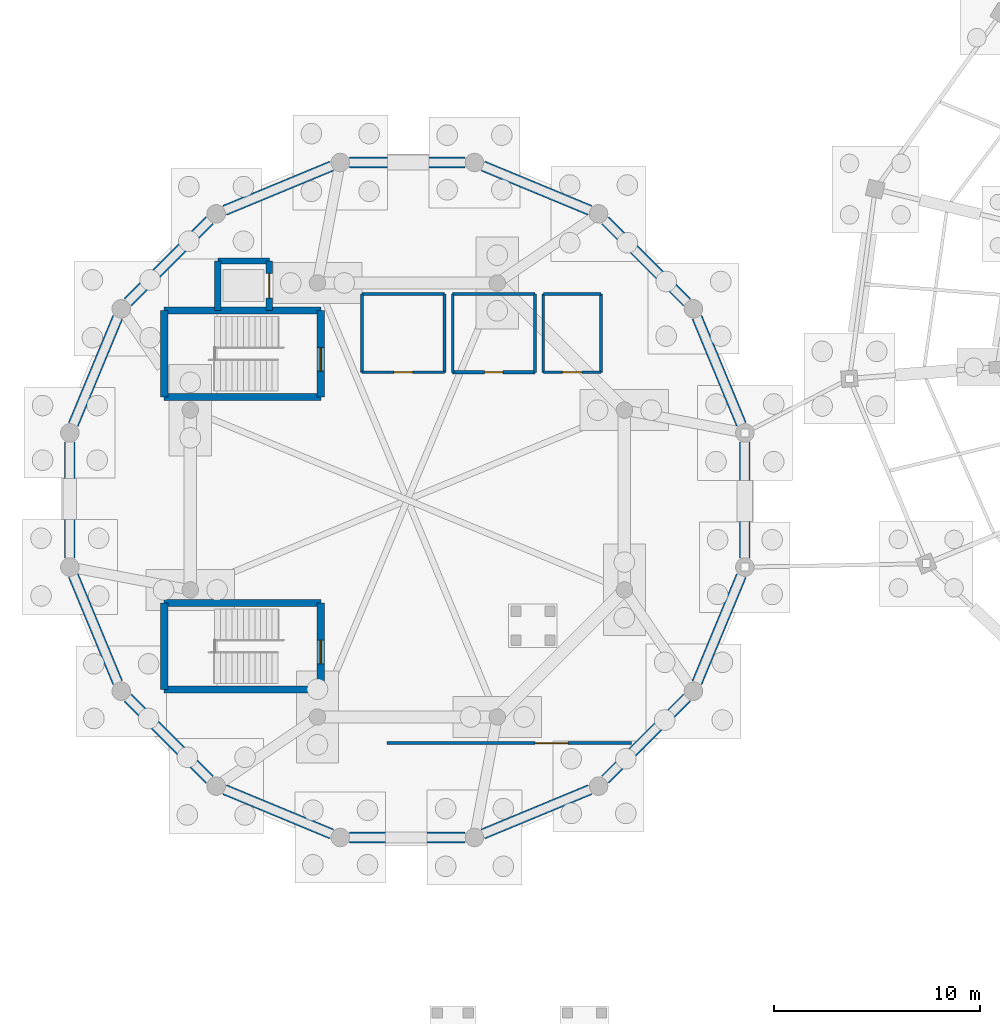
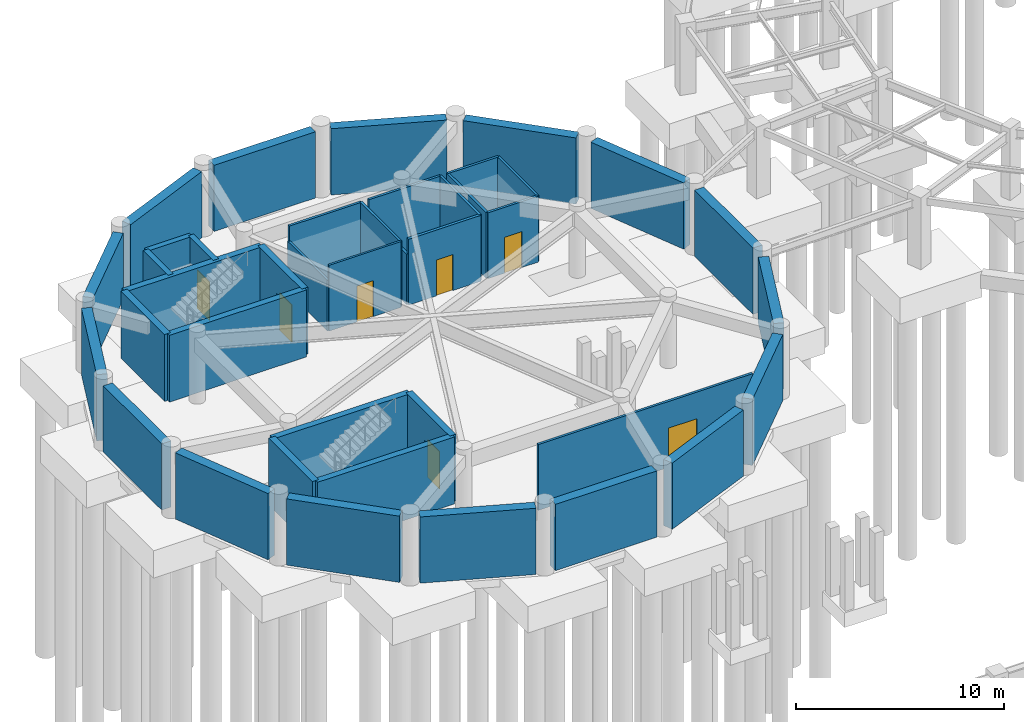
# One storey, part 27 of 38: 40 walls, 7 doors, 7 openings.
"""IFC4 building model written with IfcOpenShell, lengths in metres."""

import ifcopenshell
import ifcopenshell.guid

model = None  # the IFC model being written
_history = None  # IfcOwnerHistory: only IFC2X3 demands one
_inside = {}  # id of a spatial element -> (the spatial element, [elements in it])
_under = {}  # id of a project, library or spatial element -> (it, [spatial elements below it])
_declared = {}  # id of a project -> (the project, [libraries it declares])
_typed = {}  # id of a type object -> (the type object, [elements of that type])
_made_of = {}  # id of a material, layer set ... -> (it, [elements and type objects made of it])


def new_model(schema):
    """Start an empty IFC model of exactly this schema.

    Asked for "IFC4X3", IfcOpenShell would pick the latest addendum, in which some entities
    have other attributes; the version numbers below select the first issue.
    IFC2X3 requires an IfcOwnerHistory on every rooted entity: one is made here for all.
    """
    global model, _history
    if schema == "IFC4X3":
        model = ifcopenshell.file(schema_version=(4, 3, 0, 0))
    else:
        model = ifcopenshell.file(schema=schema)
    _inside.clear()
    _under.clear()
    _declared.clear()
    _typed.clear()
    _made_of.clear()
    _history = None
    if model.schema == "IFC2X3":
        org = make("IfcOrganization", Name="unknown")
        user = make(
            "IfcPersonAndOrganization",
            ThePerson=make("IfcPerson", FamilyName="unknown"),
            TheOrganization=org,
        )
        app = make(
            "IfcApplication",
            ApplicationDeveloper=org,
            Version="unknown",
            ApplicationFullName="unknown",
            ApplicationIdentifier="unknown",
        )
        _history = make(
            "IfcOwnerHistory",
            OwningUser=user,
            OwningApplication=app,
            ChangeAction="ADDED",
            CreationDate=0,
        )
    return model


def make(cls, **values):
    """One entity of the class cls with the attributes given. An attribute that is None is left unset."""
    return model.create_entity(
        cls, **{name: value for name, value in values.items() if value is not None}
    )


def rooted(cls, **values):
    """An entity with a GlobalId (a new one), such as an element, a storey or a relation."""
    return make(cls, GlobalId=ifcopenshell.guid.new(), OwnerHistory=_history, **values)


def si_unit(unit_type, name, prefix=None):
    """IfcSIUnit, for example si_unit("LENGTHUNIT", "METRE", prefix="MILLI")."""
    return make("IfcSIUnit", UnitType=unit_type, Prefix=prefix, Name=name)


def assignment(units):
    """IfcUnitAssignment: the units of a project."""
    return None if units is None else make("IfcUnitAssignment", Units=units)


def point(xyz):
    """IfcCartesianPoint."""
    return None if xyz is None else make("IfcCartesianPoint", Coordinates=xyz)


def direction(xyz):
    """IfcDirection."""
    return None if xyz is None else make("IfcDirection", DirectionRatios=xyz)


def frame(location, z_axis=None, x_axis=None):
    """IfcAxis2Placement3D, a coordinate frame: its origin and axes. An axis left out is left unset."""
    return make(
        "IfcAxis2Placement3D",
        Location=point(location),
        Axis=direction(z_axis),
        RefDirection=direction(x_axis),
    )


def frame_2d(location, x_axis=None):
    """IfcAxis2Placement2D, a coordinate frame in the plane: its origin and x axis."""
    return make(
        "IfcAxis2Placement2D", Location=point(location), RefDirection=direction(x_axis)
    )


def origin():
    """The frame at (0, 0, 0) with its axes left unset."""
    return frame((0.0, 0.0, 0.0))


def place(relative_to, where):
    """IfcLocalPlacement: puts the frame where relative to a parent placement (None: the world)."""
    return make(
        "IfcLocalPlacement", PlacementRelTo=relative_to, RelativePlacement=where
    )


def context(
    kind, dimensions, precision=None, world=None, true_north=None, identifier=None
):
    """IfcGeometricRepresentationContext, for example the 3D "Model" context."""
    return make(
        "IfcGeometricRepresentationContext",
        ContextIdentifier=identifier,
        ContextType=kind,
        CoordinateSpaceDimension=dimensions,
        Precision=precision,
        WorldCoordinateSystem=world,
        TrueNorth=true_north,
    )


def subcontext(parent, identifier, kind, view, scale=None):
    """IfcGeometricRepresentationSubContext, for example "Body" below "Model"."""
    return make(
        "IfcGeometricRepresentationSubContext",
        ContextIdentifier=identifier,
        ContextType=kind,
        ParentContext=parent,
        TargetScale=scale,
        TargetView=view,
    )


def project(units=None, contexts=None):
    """IfcProject with its units and contexts."""
    return rooted(
        "IfcProject",
        Name="project",
        RepresentationContexts=contexts,
        UnitsInContext=assignment(units),
    )


def spatial(cls, under=None, at=None, **own):
    """A site, building, storey or space (cls), placed at a placement, below another one or the project."""
    s = rooted(cls, ObjectPlacement=at, **own)
    if under is not None:
        _under.setdefault(under.id(), (under, []))[1].append(s)
    return s


def profile(cls, at=None, kind="AREA", **sizes):
    """A parametric profile (cls). Its sizes go by their IFC names, for example OverallWidth=200.0."""
    return make(cls, ProfileType=kind, Position=at, **sizes)


def rectangle(**sizes):
    """IfcRectangleProfileDef."""
    return profile("IfcRectangleProfileDef", **sizes)


def extrude(swept, where, along, depth):
    """IfcExtrudedAreaSolid: the profile swept, set in the frame where, extruded along a direction by depth."""
    return make(
        "IfcExtrudedAreaSolid",
        SweptArea=swept,
        Position=where,
        ExtrudedDirection=direction(along),
        Depth=depth,
    )


def shape(context_of_items, identifier, shape_type, items):
    """IfcShapeRepresentation: the items that make up one representation, for example the "Body"."""
    return make(
        "IfcShapeRepresentation",
        ContextOfItems=context_of_items,
        RepresentationIdentifier=identifier,
        RepresentationType=shape_type,
        Items=items,
    )


def material(Name=None, Category=None):
    """IfcMaterial."""
    return make("IfcMaterial", Name=Name, Category=Category)


def layer(
    of_material, thickness, ventilated=None, Name=None, Category=None, Priority=None
):
    """IfcMaterialLayer: one layer of a wall or slab, of a material (None: an air gap)."""
    return make(
        "IfcMaterialLayer",
        Material=of_material,
        LayerThickness=thickness,
        IsVentilated=ventilated,
        Name=Name,
        Category=Category,
        Priority=Priority,
    )


def layer_set(layers, Name=None):
    """IfcMaterialLayerSet."""
    return make("IfcMaterialLayerSet", MaterialLayers=layers, LayerSetName=Name)


def made_of(thing, what):
    """Note that an element or type object is made of a material, layer set ...; save() writes the relation."""
    if what is not None:
        _made_of.setdefault(what.id(), (what, []))[1].append(thing)
    return thing


def type_object(cls, material=None, **own):
    """A type object (cls), such as IfcWallType, which elements share."""
    return made_of(rooted(cls, **own), material)


def element(
    cls,
    number,
    at=None,
    inside=None,
    cuts=None,
    type_object=None,
    material=None,
    context=None,
    identifier="Body",
    shape_type=None,
    held_by="IfcProductDefinitionShape",
    body=None,
    shapes=None,
    **own,
):
    """One element of the class cls, such as IfcWall. Its Tag is "e" and its number.

    at: its placement. inside: the storey or other place that contains it. cuts: it is an
    opening in that element (IfcRelVoidsElement). A single representation is given by context,
    identifier, shape_type and body (its items); several are given by shapes. held_by: the class
    of the entity that holds the representations. save() writes the other relations.
    """
    e = rooted(cls, Tag="e%d" % number, ObjectPlacement=at, **own)
    if body is not None:
        shapes = [shape(context, identifier, shape_type, body)]
    if shapes is not None:
        e.Representation = make(held_by, Representations=shapes)
    if inside is not None:
        _inside.setdefault(inside.id(), (inside, []))[1].append(e)
    if cuts is not None:
        rooted(
            "IfcRelVoidsElement", RelatingBuildingElement=cuts, RelatedOpeningElement=e
        )
    if type_object is not None:
        _typed.setdefault(type_object.id(), (type_object, []))[1].append(e)
    return made_of(e, material)


def fill(opening, filler):
    """IfcRelFillsElement: the door or window that sits in an opening."""
    return rooted(
        "IfcRelFillsElement",
        RelatingOpeningElement=opening,
        RelatedBuildingElement=filler,
    )


def aggregate(whole, parts):
    """IfcRelAggregates: a whole, such as a stair, and the parts it consists of."""
    return rooted("IfcRelAggregates", RelatingObject=whole, RelatedObjects=parts)


def save(model, path):
    """Write the relations noted so far, then the file.

    IfcRelAggregates (storeys below a building ...), IfcRelContainedInSpatialStructure (elements
    in a storey), IfcRelDefinesByType, IfcRelAssociatesMaterial and IfcRelDeclares: one each for
    every whole, place, type object, material and project.
    """
    for whole, parts in _under.values():
        aggregate(whole, parts)
    for where, things in _inside.values():
        rooted(
            "IfcRelContainedInSpatialStructure",
            RelatedElements=things,
            RelatingStructure=where,
        )
    for kind, things in _typed.values():
        rooted("IfcRelDefinesByType", RelatedObjects=things, RelatingType=kind)
    for what, things in _made_of.values():
        rooted("IfcRelAssociatesMaterial", RelatedObjects=things, RelatingMaterial=what)
    for by, libraries in _declared.values():
        rooted("IfcRelDeclares", RelatingContext=by, RelatedDefinitions=libraries)
    model.write(path)


model = new_model("IFC4")

# Units and contexts
model_context = context("Model", 3, precision=1e-05, world=origin(), true_north=direction((0.0, 1.0)))
body_context = subcontext(model_context, "Body", "Model", "MODEL_VIEW")
ifc_project = project(units=[si_unit("LENGTHUNIT", "METRE"), si_unit("AREAUNIT", "SQUARE_METRE"), si_unit("VOLUMEUNIT", "CUBIC_METRE"), si_unit("PLANEANGLEUNIT", "RADIAN"), si_unit("MASSUNIT", "GRAM", prefix="KILO"), si_unit("THERMODYNAMICTEMPERATUREUNIT", "KELVIN"), si_unit("POWERUNIT", "WATT")], contexts=[model_context])

# Site, building, storey
site_placement = place(None, origin())
site = spatial("IfcSite", under=ifc_project, at=site_placement, CompositionType="ELEMENT")
building_placement = place(site_placement, origin())
building = spatial("IfcBuilding", under=site, at=building_placement, Name="Darbajah Civic Hall", CompositionType="ELEMENT")
storey_placement = place(building_placement, frame((0.0, 0.0, -4.199951171875)))
storey = spatial("IfcBuildingStorey", under=building, at=storey_placement, Name="B01", CompositionType="ELEMENT", Elevation=-4.199951171875)

# Walls
ifc_material_1 = material(Name="Concrete C45/55", Category="concrete")
ifc_layer_1 = layer(ifc_material_1, 0.52001953125, Name="Concrete C45/55")
ifc_layer_set_1 = layer_set([ifc_layer_1], Name="Concrete C45/55")
wall_type_1 = type_object("IfcWallType", Name="Basement Perimeter Wall 520mm", PredefinedType="SOLIDWALL", material=ifc_layer_set_1)
wall_1_placement = place(storey_placement, frame((33.007080078125, 85.27587890625, 0.0), z_axis=(0.0, 0.0, 1.0), x_axis=(-0.382680920931, 0.923880572778, 0.0)))
element("IfcWall", 1, at=wall_1_placement, inside=storey, type_object=wall_type_1, Name="B01 exterior wall RW-520", PredefinedType="SOLIDWALL", context=body_context, shape_type="SweptSolid", body=[
    extrude(rectangle(XDim=5.6123046875, YDim=0.52001953125, at=frame_2d((2.80615234375, 0.0))), origin(), (0.0, 0.0, 1.0), 3.8798828125),
])
wall_2_placement = place(storey_placement, frame((30.36669921875, 91.197998046875, 0.0), z_axis=(0.0, 0.0, 1.0), x_axis=(-0.707085031082, 0.707128530622, 0.0)))
element("IfcWall", 2, at=wall_2_placement, inside=storey, type_object=wall_type_1, Name="B01 exterior wall RW-520", PredefinedType="SOLIDWALL", context=body_context, shape_type="SweptSolid", body=[
    extrude(rectangle(XDim=5.612548828125, YDim=0.52001953125, at=frame_2d((2.80615234375, 0.0))), origin(), (0.0, 0.0, 1.0), 3.8798828125),
])
for number, where, z_axis, x_axis, name in (
    (3, (25.660888671875, 95.6591796875, 0.0), (0.0, 0.0, 1.0), (-0.923880572778, 0.382680920931, 0.0), "B01 exterior wall RW-520"),
    (4, (19.606201171875, 97.97998046875, 0.0), (0.0, 0.0, 1.0), (-1.0, 0.0, 0.0), "B01 exterior wall RW-520"),
    (5, (13.124267578125, 97.806884765625, 0.0), (0.0, 0.0, 1.0), (-0.923880572778, -0.382680920931, 0.0), "B01 exterior wall RW-520"),
):
    element("IfcWall", number, at=place(storey_placement, frame(where, z_axis=z_axis, x_axis=x_axis)), inside=storey, type_object=wall_type_1, Name=name, PredefinedType="SOLIDWALL", context=body_context, shape_type="SweptSolid", body=[
        extrude(rectangle(XDim=5.6123046875, YDim=0.52001953125, at=frame_2d((2.80615234375, 0.0))), origin(), (0.0, 0.0, 1.0), 3.8798828125),
    ])
wall_3_placement = place(storey_placement, frame((7.201904296875, 95.166748046875, 0.0), z_axis=(0.0, 0.0, 1.0), x_axis=(-0.707085031082, -0.707128530622, 0.0)))
element("IfcWall", 6, at=wall_3_placement, inside=storey, type_object=wall_type_1, Name="B01 exterior wall RW-520", PredefinedType="SOLIDWALL", context=body_context, shape_type="SweptSolid", body=[
    extrude(rectangle(XDim=5.612548828125, YDim=0.52001953125, at=frame_2d((2.80615234375, 0.0))), origin(), (0.0, 0.0, 1.0), 3.8798828125),
])
wall_4_placement = place(storey_placement, frame((2.74072265625, 90.4609375, 0.0), z_axis=(0.0, 0.0, 1.0), x_axis=(-0.382680920931, -0.923880572778, 0.0)))
element("IfcWall", 7, at=wall_4_placement, inside=storey, type_object=wall_type_1, Name="B01 exterior wall RW-520", PredefinedType="SOLIDWALL", context=body_context, shape_type="SweptSolid", body=[
    extrude(rectangle(XDim=5.6123046875, YDim=0.52001953125, at=frame_2d((2.80615234375, 0.0))), origin(), (0.0, 0.0, 1.0), 3.8798828125),
])
for number, where, z_axis, x_axis, name in (
    (8, (0.419921875, 84.40625, 0.0), (0.0, 0.0, 1.0), (0.0, -1.0, 0.0), "B01 exterior wall RW-520"),
    (9, (0.593017578125, 77.92431640625, 0.0), (0.0, 0.0, 1.0), (0.382665541548, -0.923886942928, 0.0), "B01 exterior wall RW-520"),
    (10, (3.2333984375, 72.001953125, 0.0), (0.0, 0.0, 1.0), (0.707085031082, -0.707128530622, 0.0), "B01 exterior wall RW-520"),
):
    element("IfcWall", number, at=place(storey_placement, frame(where, z_axis=z_axis, x_axis=x_axis)), inside=storey, type_object=wall_type_1, Name=name, PredefinedType="SOLIDWALL", context=body_context, shape_type="SweptSolid", body=[
        extrude(rectangle(XDim=5.612548828125, YDim=0.52001953125, at=frame_2d((2.80615234375, 0.0))), origin(), (0.0, 0.0, 1.0), 3.8798828125),
    ])
for number, where, z_axis, x_axis, name in (
    (11, (7.939208984375, 67.540771484375, 0.0), (0.0, 0.0, 1.0), (0.923880572778, -0.382680920931, 0.0), "B01 exterior wall RW-520"),
    (12, (13.993896484375, 65.219970703125, 0.0), (0.0, 0.0, 1.0), (1.0, 0.0, 0.0), "B01 exterior wall RW-520"),
    (13, (20.475830078125, 65.39306640625, 0.0), (0.0, 0.0, 1.0), (0.923880572778, 0.382680920931, 0.0), "B01 exterior wall RW-520"),
):
    element("IfcWall", number, at=place(storey_placement, frame(where, z_axis=z_axis, x_axis=x_axis)), inside=storey, type_object=wall_type_1, Name=name, PredefinedType="SOLIDWALL", context=body_context, shape_type="SweptSolid", body=[
        extrude(rectangle(XDim=5.6123046875, YDim=0.52001953125, at=frame_2d((2.80615234375, 0.0))), origin(), (0.0, 0.0, 1.0), 3.8798828125),
    ])
for number, where, z_axis, x_axis, name in (
    (14, (26.398193359375, 68.033203125, 0.0), (0.0, 0.0, 1.0), (0.707085031082, 0.707128530622, 0.0), "B01 exterior wall RW-520"),
    (15, (30.859375, 72.739013671875, 0.0), (0.0, 0.0, 1.0), (0.382665541548, 0.923886942928, 0.0), "B01 exterior wall RW-520"),
    (16, (33.179931640625, 78.793701171875, 0.0), (0.0, 0.0, 1.0), (0.0, 1.0, 0.0), "B01 exterior wall RW-520"),
):
    element("IfcWall", number, at=place(storey_placement, frame(where, z_axis=z_axis, x_axis=x_axis)), inside=storey, type_object=wall_type_1, Name=name, PredefinedType="SOLIDWALL", context=body_context, shape_type="SweptSolid", body=[
        extrude(rectangle(XDim=5.612548828125, YDim=0.52001953125, at=frame_2d((2.80615234375, 0.0))), origin(), (0.0, 0.0, 1.0), 3.8798828125),
    ])
ifc_layer_2 = layer(ifc_material_1, 0.300048828125, Name="Concrete C45/55")
ifc_layer_set_2 = layer_set([ifc_layer_2], Name="Concrete C45/55")
wall_type_2 = type_object("IfcWallType", Name="Core Shear Wall 300mm", PredefinedType="SHEAR", material=ifc_layer_set_2)
wall_5_placement = place(storey_placement, frame((10.10009765625, 93.199951171875, 0.0), z_axis=(0.0, 0.0, 1.0), x_axis=(-1.0, 0.0, 0.0)))
element("IfcWall", 17, at=wall_5_placement, inside=storey, type_object=wall_type_2, Name="B01 lift PL2 shaft wall N", PredefinedType="SHEAR", context=body_context, shape_type="SweptSolid", body=[
    extrude(rectangle(XDim=2.5, YDim=0.300048828125, at=frame_2d((1.25, 0.0))), origin(), (0.0, 0.0, 1.0), 3.919921875),
])
wall_6_placement = place(storey_placement, frame((7.60009765625, 93.199951171875, 0.0), z_axis=(0.0, 0.0, 1.0), x_axis=(0.0, -1.0, 0.0)))
element("IfcWall", 18, at=wall_6_placement, inside=storey, type_object=wall_type_2, Name="B01 lift PL2 shaft wall W", PredefinedType="SHEAR", context=body_context, shape_type="SweptSolid", body=[
    extrude(rectangle(XDim=2.39990234375, YDim=0.300048828125, at=frame_2d((1.199951171875, 0.0))), origin(), (0.0, 0.0, 1.0), 3.919921875),
])

# Wall, opening, door
wall_7_placement = place(storey_placement, frame((10.10009765625, 90.800048828125, 0.0), z_axis=(0.0, 0.0, 1.0), x_axis=(0.0, 1.0, 0.0)))
wall_7 = element("IfcWall", 19, at=wall_7_placement, inside=storey, type_object=wall_type_2, Name="B01 lift PL2 shaft wall E", PredefinedType="SHEAR", context=body_context, shape_type="SweptSolid", body=[
    extrude(rectangle(XDim=2.39990234375, YDim=0.300048828125, at=frame_2d((1.199951171875, 0.0))), origin(), (0.0, 0.0, 1.0), 3.919921875),
])
opening_1_placement = place(wall_7_placement, frame((0.60009765625, 0.0, 0.0)))
opening_1 = element("IfcOpeningElement", 20, at=opening_1_placement, cuts=wall_7, Name="Opening LD-0062", PredefinedType="OPENING", context=body_context, shape_type="SweptSolid", body=[
    extrude(rectangle(XDim=1.199951171875, YDim=2.25, at=frame_2d((0.60009765625, 1.125))), frame((0.0, 0.159912109375, 0.0), z_axis=(0.0, -1.0, 0.0), x_axis=(1.0, 0.0, 0.0)), (0.0, 0.0, 1.0), 0.320068359375),
])
ifc_material_2 = material(Name="Stainless Lift Landing Door")
door_type_1 = type_object("IfcDoorType", Name="Lift Landing Door 1200x2250", OperationType="SLIDING_TO_LEFT", PredefinedType="DOOR", material=ifc_material_2)
door_1_placement = place(opening_1_placement, origin())
door_1 = element("IfcDoor", 21, at=door_1_placement, inside=storey, type_object=door_type_1, Name="B01 lift PL2 landing door LD-0062", OperationType="SLIDING_TO_LEFT", OverallHeight=2.25, OverallWidth=1.199951171875, PredefinedType="DOOR", context=body_context, shape_type="SweptSolid", body=[
    extrude(rectangle(XDim=1.199951171875, YDim=2.25, at=frame_2d((0.60009765625, 1.125))), frame((0.0, 0.02490234375, 0.0), z_axis=(0.0, -1.0, 0.0), x_axis=(1.0, 0.0, 0.0)), (0.0, 0.0, 1.0), 0.050048828125),
])
fill(opening_1, door_1)

# Wall
ifc_material_3 = material(Name="Concrete C50/60", Category="concrete")
ifc_layer_3 = layer(ifc_material_3, 0.35009765625, Name="Concrete C50/60")
ifc_layer_set_3 = layer_set([ifc_layer_3], Name="Concrete C50/60")
wall_type_3 = type_object("IfcWallType", Name="Core Shear Wall 350mm", PredefinedType="SHEAR", material=ifc_layer_set_3)
wall_8_placement = place(storey_placement, frame((5.0, 86.60009765625, 0.0), z_axis=(0.0, 0.0, 1.0), x_axis=(1.0, 0.0, 0.0)))
element("IfcWall", 22, at=wall_8_placement, inside=storey, type_object=wall_type_3, Name="B01 core C04 shear wall S", PredefinedType="SHEAR", context=body_context, shape_type="SweptSolid", body=[
    extrude(rectangle(XDim=7.60009765625, YDim=0.35009765625, at=frame_2d((3.800048828125, 0.0))), origin(), (0.0, 0.0, 1.0), 3.919921875),
])

# Wall, opening, door
wall_9_placement = place(storey_placement, frame((12.60009765625, 86.60009765625, 0.0), z_axis=(0.0, 0.0, 1.0), x_axis=(0.0, 1.0, 0.0)))
wall_9 = element("IfcWall", 23, at=wall_9_placement, inside=storey, type_object=wall_type_3, Name="B01 core C04 shear wall E", PredefinedType="SHEAR", context=body_context, shape_type="SweptSolid", body=[
    extrude(rectangle(XDim=4.199951171875, YDim=0.35009765625, at=frame_2d((2.10009765625, 0.0))), origin(), (0.0, 0.0, 1.0), 3.919921875),
])
opening_2_placement = place(wall_9_placement, frame((1.25, 0.0, 0.0)))
opening_2 = element("IfcOpeningElement", 24, at=opening_2_placement, cuts=wall_9, Name="Opening SD-0057", PredefinedType="OPENING", context=body_context, shape_type="SweptSolid", body=[
    extrude(rectangle(XDim=1.14990234375, YDim=2.199951171875, at=frame_2d((0.574951171875, 1.10009765625))), frame((0.0, 0.18505859375, 0.0), z_axis=(0.0, -1.0, 0.0), x_axis=(1.0, 0.0, 0.0)), (0.0, 0.0, 1.0), 0.3701171875),
])
ifc_material_4 = material(Name="Steel Rated Core Door", Category="steel")
door_type_2 = type_object("IfcDoorType", Name="Interior Door 1150x2200", OperationType="NOTDEFINED", PredefinedType="DOOR", material=ifc_material_4)
door_2_placement = place(opening_2_placement, origin())
door_2 = element("IfcDoor", 25, at=door_2_placement, inside=storey, type_object=door_type_2, Name="B01 stair ST04 fire door SD-0057", OperationType="SINGLE_SWING_RIGHT", OverallHeight=2.199951171875, OverallWidth=1.14990234375, PredefinedType="DOOR", context=body_context, shape_type="SweptSolid", body=[
    extrude(rectangle(XDim=1.14990234375, YDim=2.199951171875, at=frame_2d((0.574951171875, 1.10009765625))), frame((0.0, 0.02490234375, 0.0), z_axis=(0.0, -1.0, 0.0), x_axis=(1.0, 0.0, 0.0)), (0.0, 0.0, 1.0), 0.050048828125),
])
fill(opening_2, door_2)

# Walls
wall_10_placement = place(storey_placement, frame((12.60009765625, 90.800048828125, 0.0), z_axis=(0.0, 0.0, 1.0), x_axis=(-1.0, 0.0, 0.0)))
element("IfcWall", 26, at=wall_10_placement, inside=storey, type_object=wall_type_3, Name="B01 core C04 shear wall N", PredefinedType="SHEAR", context=body_context, shape_type="SweptSolid", body=[
    extrude(rectangle(XDim=7.60009765625, YDim=0.35009765625, at=frame_2d((3.800048828125, 0.0))), origin(), (0.0, 0.0, 1.0), 3.919921875),
])
wall_11_placement = place(storey_placement, frame((5.0, 90.800048828125, 0.0), z_axis=(0.0, 0.0, 1.0), x_axis=(0.0, -1.0, 0.0)))
element("IfcWall", 27, at=wall_11_placement, inside=storey, type_object=wall_type_3, Name="B01 core C04 shear wall W", PredefinedType="SHEAR", context=body_context, shape_type="SweptSolid", body=[
    extrude(rectangle(XDim=4.199951171875, YDim=0.35009765625, at=frame_2d((2.10009765625, 0.0))), origin(), (0.0, 0.0, 1.0), 3.919921875),
])
wall_12_placement = place(storey_placement, frame((5.0, 72.39990234375, 0.0), z_axis=(0.0, 0.0, 1.0), x_axis=(1.0, 0.0, 0.0)))
element("IfcWall", 28, at=wall_12_placement, inside=storey, type_object=wall_type_3, Name="B01 core C05 shear wall S", PredefinedType="SHEAR", context=body_context, shape_type="SweptSolid", body=[
    extrude(rectangle(XDim=7.60009765625, YDim=0.35009765625, at=frame_2d((3.800048828125, 0.0))), origin(), (0.0, 0.0, 1.0), 3.919921875),
])

# Wall, opening, door
wall_13_placement = place(storey_placement, frame((12.60009765625, 72.39990234375, 0.0), z_axis=(0.0, 0.0, 1.0), x_axis=(0.0, 1.0, 0.0)))
wall_13 = element("IfcWall", 29, at=wall_13_placement, inside=storey, type_object=wall_type_3, Name="B01 core C05 shear wall E", PredefinedType="SHEAR", context=body_context, shape_type="SweptSolid", body=[
    extrude(rectangle(XDim=4.2001953125, YDim=0.35009765625, at=frame_2d((2.10009765625, 0.0))), origin(), (0.0, 0.0, 1.0), 3.919921875),
])
opening_3_placement = place(wall_13_placement, frame((1.25, 0.0, 0.0)))
opening_3 = element("IfcOpeningElement", 30, at=opening_3_placement, cuts=wall_13, Name="Opening SD-0067", PredefinedType="OPENING", context=body_context, shape_type="SweptSolid", body=[
    extrude(rectangle(XDim=1.14990234375, YDim=2.199951171875, at=frame_2d((0.574951171875, 1.10009765625))), frame((0.0, 0.18505859375, 0.0), z_axis=(0.0, -1.0, 0.0), x_axis=(1.0, 0.0, 0.0)), (0.0, 0.0, 1.0), 0.3701171875),
])
door_3_placement = place(opening_3_placement, origin())
door_3 = element("IfcDoor", 31, at=door_3_placement, inside=storey, type_object=door_type_2, Name="B01 stair ST05 fire door SD-0067", OperationType="SINGLE_SWING_RIGHT", OverallHeight=2.199951171875, OverallWidth=1.14990234375, PredefinedType="DOOR", context=body_context, shape_type="SweptSolid", body=[
    extrude(rectangle(XDim=1.14990234375, YDim=2.199951171875, at=frame_2d((0.574951171875, 1.10009765625))), frame((0.0, 0.02490234375, 0.0), z_axis=(0.0, -1.0, 0.0), x_axis=(1.0, 0.0, 0.0)), (0.0, 0.0, 1.0), 0.050048828125),
])
fill(opening_3, door_3)

# Walls
wall_14_placement = place(storey_placement, frame((12.60009765625, 76.60009765625, 0.0), z_axis=(0.0, 0.0, 1.0), x_axis=(-1.0, 0.0, 0.0)))
element("IfcWall", 32, at=wall_14_placement, inside=storey, type_object=wall_type_3, Name="B01 core C05 shear wall N", PredefinedType="SHEAR", context=body_context, shape_type="SweptSolid", body=[
    extrude(rectangle(XDim=7.60009765625, YDim=0.35009765625, at=frame_2d((3.800048828125, 0.0))), origin(), (0.0, 0.0, 1.0), 3.919921875),
])
wall_15_placement = place(storey_placement, frame((5.0, 76.60009765625, 0.0), z_axis=(0.0, 0.0, 1.0), x_axis=(0.0, -1.0, 0.0)))
element("IfcWall", 33, at=wall_15_placement, inside=storey, type_object=wall_type_3, Name="B01 core C05 shear wall W", PredefinedType="SHEAR", context=body_context, shape_type="SweptSolid", body=[
    extrude(rectangle(XDim=4.2001953125, YDim=0.35009765625, at=frame_2d((2.10009765625, 0.0))), origin(), (0.0, 0.0, 1.0), 3.919921875),
])

# Wall, opening, door
ifc_material_5 = material(Name="Acoustic Gypsum Partition")
ifc_layer_4 = layer(ifc_material_5, 0.114990234375, Name="Acoustic Gypsum Partition")
ifc_layer_set_4 = layer_set([ifc_layer_4], Name="Acoustic Gypsum Partition")
wall_type_4 = type_object("IfcWallType", Name="Interior Partition 115mm", PredefinedType="PARTITIONING", material=ifc_layer_set_4)
wall_16_placement = place(storey_placement, frame((14.60009765625, 87.800048828125, 0.0), z_axis=(0.0, 0.0, 1.0), x_axis=(1.0, 0.0, 0.0)))
wall_16 = element("IfcWall", 34, at=wall_16_placement, inside=storey, type_object=wall_type_4, Name="B01 interior partition B01-WC1", PredefinedType="PARTITIONING", context=body_context, shape_type="SweptSolid", body=[
    extrude(rectangle(XDim=4.0, YDim=0.114990234375, at=frame_2d((2.0, 0.0))), origin(), (0.0, 0.0, 1.0), 3.85986328125),
])
opening_4_placement = place(wall_16_placement, frame((1.550048828125, 0.0, 0.0)))
opening_4 = element("IfcOpeningElement", 35, at=opening_4_placement, cuts=wall_16, Name="Opening D-0133", PredefinedType="OPENING", context=body_context, shape_type="SweptSolid", body=[
    extrude(rectangle(XDim=0.89990234375, YDim=2.10009765625, at=frame_2d((0.449951171875, 1.050048828125))), frame((0.0, 0.0673828125, 0.0), z_axis=(0.0, -1.0, 0.0), x_axis=(1.0, 0.0, 0.0)), (0.0, 0.0, 1.0), 0.135009765625),
])
ifc_material_6 = material(Name="Oak Washroom Door")
door_type_3 = type_object("IfcDoorType", Name="Interior Door 900x2100", OperationType="NOTDEFINED", PredefinedType="DOOR", material=ifc_material_6)
door_4_placement = place(opening_4_placement, origin())
door_4 = element("IfcDoor", 36, at=door_4_placement, inside=storey, type_object=door_type_3, Name="B01 B01-WC1 door D-0133", OperationType="SINGLE_SWING_RIGHT", OverallHeight=2.10009765625, OverallWidth=0.89990234375, PredefinedType="DOOR", context=body_context, shape_type="SweptSolid", body=[
    extrude(rectangle(XDim=0.89990234375, YDim=2.10009765625, at=frame_2d((0.449951171875, 1.050048828125))), frame((0.0, 0.02490234375, 0.0), z_axis=(0.0, -1.0, 0.0), x_axis=(1.0, 0.0, 0.0)), (0.0, 0.0, 1.0), 0.050048828125),
])
fill(opening_4, door_4)

ifc_material_7 = material(Name="Gypsum Plasterboard on Steel Stud", Category="steel")
ifc_layer_5 = layer(ifc_material_7, 0.135009765625, Name="Gypsum Plasterboard on Steel Stud")
ifc_layer_set_5 = layer_set([ifc_layer_5], Name="Gypsum Plasterboard on Steel Stud")
wall_type_5 = type_object("IfcWallType", Name="Interior Partition 135mm", PredefinedType="PARTITIONING", material=ifc_layer_set_5)
wall_17_placement = place(storey_placement, frame((27.68408203125, 69.800048828125, 0.0), z_axis=(0.0, 0.0, 1.0), x_axis=(-1.0, 0.0, 0.0)))
wall_17 = element("IfcWall", 37, at=wall_17_placement, inside=storey, type_object=wall_type_5, Name="B01 interior partition B01-01", PredefinedType="PARTITIONING", context=body_context, shape_type="SweptSolid", body=[
    extrude(rectangle(XDim=11.884033203125, YDim=0.135009765625, at=frame_2d((5.94189453125, 0.0))), origin(), (0.0, 0.0, 1.0), 3.85986328125),
])
opening_5_placement = place(wall_17_placement, frame((3.085205078125, 0.0, 0.0)))
opening_5 = element("IfcOpeningElement", 38, at=opening_5_placement, cuts=wall_17, Name="Opening D-0132", PredefinedType="OPENING", context=body_context, shape_type="SweptSolid", body=[
    extrude(rectangle(XDim=1.60009765625, YDim=2.300048828125, at=frame_2d((0.800048828125, 1.14990234375))), frame((0.0, 0.077392578125, 0.0), z_axis=(0.0, -1.0, 0.0), x_axis=(1.0, 0.0, 0.0)), (0.0, 0.0, 1.0), 0.155029296875),
])
ifc_material_8 = material(Name="Painted Hardwood Fire Door", Category="wood")
door_type_4 = type_object("IfcDoorType", Name="Interior Door 1600x2300", OperationType="NOTDEFINED", PredefinedType="DOOR", material=ifc_material_8)
door_5_placement = place(opening_5_placement, origin())
door_5 = element("IfcDoor", 39, at=door_5_placement, inside=storey, type_object=door_type_4, Name="B01 B01-01 door D-0132", OperationType="DOUBLE_DOOR_SINGLE_SWING", OverallHeight=2.300048828125, OverallWidth=1.60009765625, PredefinedType="DOOR", context=body_context, shape_type="SweptSolid", body=[
    extrude(rectangle(XDim=1.60009765625, YDim=2.300048828125, at=frame_2d((0.800048828125, 1.14990234375))), frame((0.0, 0.02490234375, 0.0), z_axis=(0.0, -1.0, 0.0), x_axis=(1.0, 0.0, 0.0)), (0.0, 0.0, 1.0), 0.050048828125),
])
fill(opening_5, door_5)

# Walls
wall_18_placement = place(storey_placement, frame((14.60009765625, 91.60009765625, 0.0), z_axis=(0.0, 0.0, 1.0), x_axis=(1.0, 0.0, 0.0)))
element("IfcWall", 40, at=wall_18_placement, inside=storey, type_object=wall_type_5, Name="B01 restroom enclosure wall B01-WC1 N", PredefinedType="PARTITIONING", context=body_context, shape_type="SweptSolid", body=[
    extrude(rectangle(XDim=4.0, YDim=0.135009765625, at=frame_2d((2.0, 0.0))), origin(), (0.0, 0.0, 1.0), 3.85986328125),
])
wall_19_placement = place(storey_placement, frame((18.60009765625, 87.800048828125, 0.0), z_axis=(0.0, 0.0, 1.0), x_axis=(0.0, 1.0, 0.0)))
element("IfcWall", 41, at=wall_19_placement, inside=storey, type_object=wall_type_5, Name="B01 restroom enclosure wall B01-WC1 E", PredefinedType="PARTITIONING", context=body_context, shape_type="SweptSolid", body=[
    extrude(rectangle(XDim=3.800048828125, YDim=0.135009765625, at=frame_2d((1.89990234375, 0.0))), origin(), (0.0, 0.0, 1.0), 3.85986328125),
])
wall_20_placement = place(storey_placement, frame((14.60009765625, 87.800048828125, 0.0), z_axis=(0.0, 0.0, 1.0), x_axis=(0.0, 1.0, 0.0)))
element("IfcWall", 42, at=wall_20_placement, inside=storey, type_object=wall_type_5, Name="B01 restroom enclosure wall B01-WC1 W", PredefinedType="PARTITIONING", context=body_context, shape_type="SweptSolid", body=[
    extrude(rectangle(XDim=3.800048828125, YDim=0.135009765625, at=frame_2d((1.89990234375, 0.0))), origin(), (0.0, 0.0, 1.0), 2.961669921875),
])
wall_21_placement = place(storey_placement, frame((19.0, 91.60009765625, 0.0), z_axis=(0.0, 0.0, 1.0), x_axis=(1.0, 0.0, 0.0)))
element("IfcWall", 43, at=wall_21_placement, inside=storey, type_object=wall_type_5, Name="B01 restroom enclosure wall B01-WC2 N", PredefinedType="PARTITIONING", context=body_context, shape_type="SweptSolid", body=[
    extrude(rectangle(XDim=4.0, YDim=0.135009765625, at=frame_2d((2.0, 0.0))), origin(), (0.0, 0.0, 1.0), 3.85986328125),
])
wall_22_placement = place(storey_placement, frame((23.0, 87.800048828125, 0.0), z_axis=(0.0, 0.0, 1.0), x_axis=(0.0, 1.0, 0.0)))
element("IfcWall", 44, at=wall_22_placement, inside=storey, type_object=wall_type_5, Name="B01 restroom enclosure wall B01-WC2 E", PredefinedType="PARTITIONING", context=body_context, shape_type="SweptSolid", body=[
    extrude(rectangle(XDim=3.800048828125, YDim=0.135009765625, at=frame_2d((1.89990234375, 0.0))), origin(), (0.0, 0.0, 1.0), 3.85986328125),
])
wall_23_placement = place(storey_placement, frame((19.0, 87.800048828125, 0.0), z_axis=(0.0, 0.0, 1.0), x_axis=(0.0, 1.0, 0.0)))
element("IfcWall", 45, at=wall_23_placement, inside=storey, type_object=wall_type_5, Name="B01 restroom enclosure wall B01-WC2 W", PredefinedType="PARTITIONING", context=body_context, shape_type="SweptSolid", body=[
    extrude(rectangle(XDim=3.800048828125, YDim=0.135009765625, at=frame_2d((1.89990234375, 0.0))), origin(), (0.0, 0.0, 1.0), 2.961669921875),
])
wall_24_placement = place(storey_placement, frame((23.39990234375, 91.60009765625, 0.0), z_axis=(0.0, 0.0, 1.0), x_axis=(1.0, 0.0, 0.0)))
element("IfcWall", 46, at=wall_24_placement, inside=storey, type_object=wall_type_5, Name="B01 restroom enclosure wall B01-WCA N", PredefinedType="PARTITIONING", context=body_context, shape_type="SweptSolid", body=[
    extrude(rectangle(XDim=2.800048828125, YDim=0.135009765625, at=frame_2d((1.39990234375, 0.0))), origin(), (0.0, 0.0, 1.0), 3.85986328125),
])
for number, where, z_axis, x_axis, name in (
    (47, (26.199951171875, 87.800048828125, 0.0), (0.0, 0.0, 1.0), (0.0, 1.0, 0.0), "B01 restroom enclosure wall B01-WCA E"),
    (48, (23.39990234375, 87.800048828125, 0.0), (0.0, 0.0, 1.0), (0.0, 1.0, 0.0), "B01 restroom enclosure wall B01-WCA W"),
):
    element("IfcWall", number, at=place(storey_placement, frame(where, z_axis=z_axis, x_axis=x_axis)), inside=storey, type_object=wall_type_5, Name=name, PredefinedType="PARTITIONING", context=body_context, shape_type="SweptSolid", body=[
        extrude(rectangle(XDim=3.800048828125, YDim=0.135009765625, at=frame_2d((1.89990234375, 0.0))), origin(), (0.0, 0.0, 1.0), 3.85986328125),
    ])

# Wall, opening, door
wall_25_placement = place(storey_placement, frame((23.39990234375, 87.800048828125, 0.0), z_axis=(0.0, 0.0, 1.0), x_axis=(1.0, 0.0, 0.0)))
wall_25 = element("IfcWall", 49, at=wall_25_placement, inside=storey, type_object=wall_type_5, Name="B01 interior partition B01-WCA", PredefinedType="PARTITIONING", context=body_context, shape_type="SweptSolid", body=[
    extrude(rectangle(XDim=2.800048828125, YDim=0.135009765625, at=frame_2d((1.39990234375, 0.0))), origin(), (0.0, 0.0, 1.0), 3.85986328125),
])
opening_6_placement = place(wall_25_placement, frame((0.925048828125, 0.0, 0.0)))
opening_6 = element("IfcOpeningElement", 50, at=opening_6_placement, cuts=wall_25, Name="Opening D-0135", PredefinedType="OPENING", context=body_context, shape_type="SweptSolid", body=[
    extrude(rectangle(XDim=0.949951171875, YDim=2.10009765625, at=frame_2d((0.47509765625, 1.050048828125))), frame((0.0, 0.077392578125, 0.0), z_axis=(0.0, -1.0, 0.0), x_axis=(1.0, 0.0, 0.0)), (0.0, 0.0, 1.0), 0.155029296875),
])
ifc_material_9 = material(Name="Accessible WC Door")
door_type_5 = type_object("IfcDoorType", Name="Interior Door 950x2100", OperationType="NOTDEFINED", PredefinedType="DOOR", material=ifc_material_9)
door_6_placement = place(opening_6_placement, origin())
door_6 = element("IfcDoor", 51, at=door_6_placement, inside=storey, type_object=door_type_5, Name="B01 B01-WCA door D-0135", OperationType="SINGLE_SWING_RIGHT", OverallHeight=2.10009765625, OverallWidth=0.949951171875, PredefinedType="DOOR", context=body_context, shape_type="SweptSolid", body=[
    extrude(rectangle(XDim=0.949951171875, YDim=2.10009765625, at=frame_2d((0.47509765625, 1.050048828125))), frame((0.0, 0.02490234375, 0.0), z_axis=(0.0, -1.0, 0.0), x_axis=(1.0, 0.0, 0.0)), (0.0, 0.0, 1.0), 0.050048828125),
])
fill(opening_6, door_6)

ifc_layer_6 = layer(ifc_material_7, 0.159912109375, Name="Gypsum Plasterboard on Steel Stud")
ifc_layer_set_6 = layer_set([ifc_layer_6], Name="Gypsum Plasterboard on Steel Stud")
wall_type_6 = type_object("IfcWallType", Name="Interior Partition 160mm", PredefinedType="PARTITIONING", material=ifc_layer_set_6)
wall_26_placement = place(storey_placement, frame((19.0, 87.800048828125, 0.0), z_axis=(0.0, 0.0, 1.0), x_axis=(1.0, 0.0, 0.0)))
wall_26 = element("IfcWall", 52, at=wall_26_placement, inside=storey, type_object=wall_type_6, Name="B01 interior partition B01-WC2", PredefinedType="PARTITIONING", context=body_context, shape_type="SweptSolid", body=[
    extrude(rectangle(XDim=4.0, YDim=0.159912109375, at=frame_2d((2.0, 0.0))), origin(), (0.0, 0.0, 1.0), 3.85986328125),
])
opening_7_placement = place(wall_26_placement, frame((1.550048828125, 0.0, 0.0)))
opening_7 = element("IfcOpeningElement", 53, at=opening_7_placement, cuts=wall_26, Name="Opening D-0134", PredefinedType="OPENING", context=body_context, shape_type="SweptSolid", body=[
    extrude(rectangle(XDim=0.89990234375, YDim=2.10009765625, at=frame_2d((0.449951171875, 1.050048828125))), frame((0.0, 0.08984375, 0.0), z_axis=(0.0, -1.0, 0.0), x_axis=(1.0, 0.0, 0.0)), (0.0, 0.0, 1.0), 0.179931640625),
])
door_7_placement = place(opening_7_placement, origin())
door_7 = element("IfcDoor", 54, at=door_7_placement, inside=storey, type_object=door_type_3, Name="B01 B01-WC2 door D-0134", OperationType="SINGLE_SWING_LEFT", OverallHeight=2.10009765625, OverallWidth=0.89990234375, PredefinedType="DOOR", context=body_context, shape_type="SweptSolid", body=[
    extrude(rectangle(XDim=0.89990234375, YDim=2.10009765625, at=frame_2d((0.449951171875, 1.050048828125))), frame((0.0, 0.02490234375, 0.0), z_axis=(0.0, -1.0, 0.0), x_axis=(1.0, 0.0, 0.0)), (0.0, 0.0, 1.0), 0.050048828125),
])
fill(opening_7, door_7)

save(model, "model.ifc")
